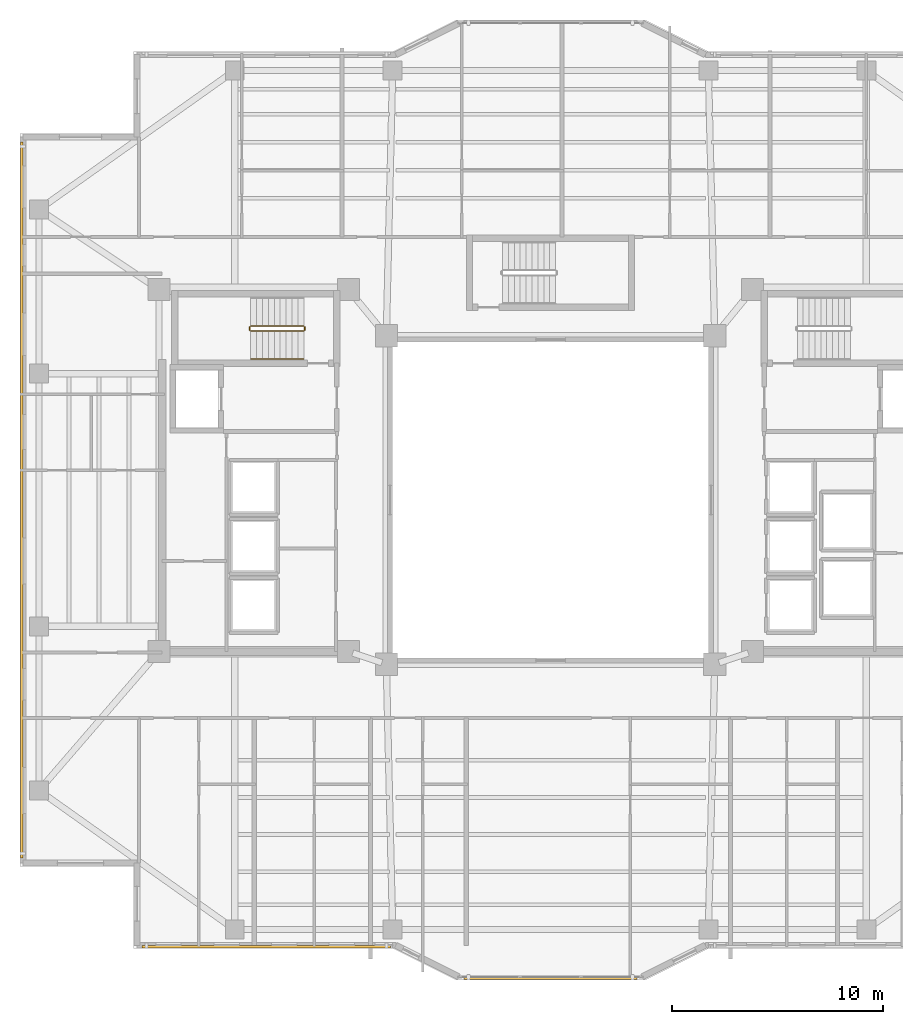
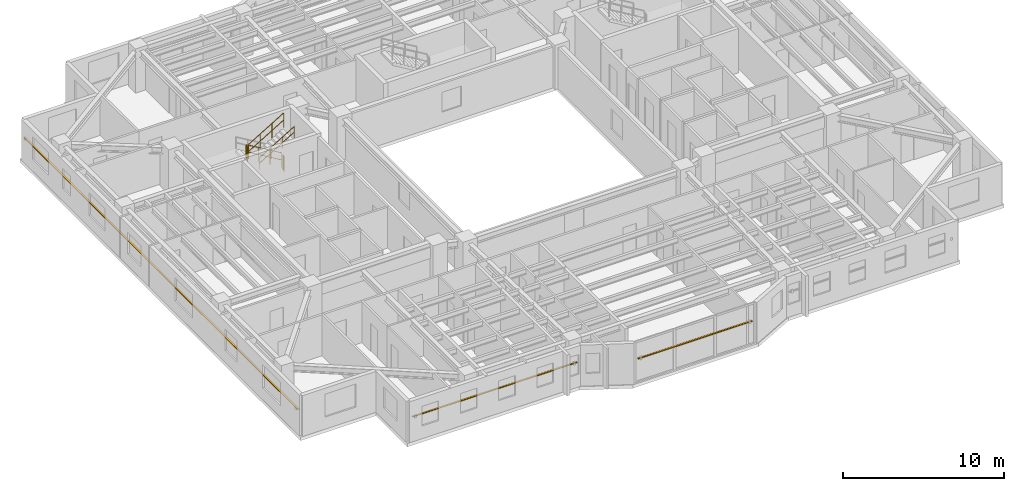
# One storey, part 14 of 16: 5 railings, 3 shading devices.
"""IFC4 building model written with IfcOpenShell, lengths in metres."""

from ifc_helpers import new_model, si_unit, direction, frame, origin, origin_2d, place, context, subcontext, project, spatial, rectangle, circle, extrude, material, material_profile, profile_set, type_object, element, save


model = new_model("IFC4")

# Units and contexts
model_context = context("Model", 3, precision=1e-05, world=origin(), true_north=direction((0.0, 1.0)))
body_context = subcontext(model_context, "Body", "Model", "MODEL_VIEW")
ifc_project = project(units=[si_unit("LENGTHUNIT", "METRE"), si_unit("AREAUNIT", "SQUARE_METRE"), si_unit("VOLUMEUNIT", "CUBIC_METRE"), si_unit("PLANEANGLEUNIT", "RADIAN"), si_unit("MASSUNIT", "GRAM", prefix="KILO")], contexts=[model_context])

# Site, building, storey
site_placement = place(None, origin())
site = spatial("IfcSite", under=ifc_project, at=site_placement, CompositionType="ELEMENT")
building_placement = place(site_placement, origin())
building = spatial("IfcBuilding", under=site, at=building_placement, Name="Tarnavaz Court Tower", CompositionType="ELEMENT")
storey_placement = place(building_placement, frame((0.0, 0.0, 166.10009765625)))
storey = spatial("IfcBuildingStorey", under=building, at=storey_placement, Name="L45", CompositionType="ELEMENT", Elevation=166.10009765625)

# Railings
ifc_material_1 = material(Name="Brushed Stainless Steel", Category="steel")
railing_type_1 = type_object("IfcRailingType", Name="RL-HANDRAIL-900", PredefinedType="HANDRAIL", material=ifc_material_1)
railing_1_placement = place(storey_placement, frame((-14.239990234375, 6.699951171875, 1.84228515625)))
element("IfcRailing", 1, at=railing_1_placement, inside=storey, type_object=railing_type_1, Name="L45 ST-W1 stair handrail 2", PredefinedType="HANDRAIL", context=body_context, shape_type="SweptSolid", body=[
    extrude(circle(Radius=0.02392578125, at=origin_2d()), frame((0.0, 0.0, 0.8759765625), z_axis=(0.858159760407, 0.0, 0.513382728203), x_axis=(0.0, 1.0, 0.0)), (0.0, 0.0, 1.0), 2.9365234375),
    extrude(circle(Radius=0.02392578125, at=origin_2d()), frame((0.0, 0.0, 0.449951171875), z_axis=(0.858159760407, 0.0, 0.513382728203), x_axis=(0.0, 1.0, 0.0)), (0.0, 0.0, 1.0), 2.9365234375),
    extrude(circle(Radius=0.02099609375, at=origin_2d()), origin(), (0.0, 0.0, 1.0), 0.851806640625),
    extrude(circle(Radius=0.02099609375, at=origin_2d()), frame((0.840087890625, 0.0, 0.50244140625)), (0.0, 0.0, 1.0), 0.851806640625),
    extrude(circle(Radius=0.02099609375, at=origin_2d()), frame((1.679931640625, 0.0, 1.005126953125)), (0.0, 0.0, 1.0), 0.851806640625),
    extrude(circle(Radius=0.02099609375, at=origin_2d()), frame((2.52001953125, 0.0, 1.507568359375)), (0.0, 0.0, 1.0), 0.851806640625),
])
ifc_material_2 = material(Name="Galvanized Painted Tubular Steel", Category="steel")
railing_type_2 = type_object("IfcRailingType", Name="RL-STGUARD-1120", PredefinedType="GUARDRAIL", material=ifc_material_2)
railing_2_placement = place(storey_placement, frame((-11.719970703125, 8.27001953125, 0.16748046875)))
element("IfcRailing", 2, at=railing_2_placement, inside=storey, type_object=railing_type_2, Name="L45 ST-W1 stair guard 1", PredefinedType="GUARDRAIL", context=body_context, shape_type="SweptSolid", body=[
    extrude(circle(Radius=0.02392578125, at=origin_2d()), frame((0.0, 0.0, 1.09619140625), z_axis=(-0.858196387827, 0.0, 0.513321497621), x_axis=(0.0, -1.0, 0.0)), (0.0, 0.0, 1.0), 2.9365234375),
    extrude(circle(Radius=0.02392578125, at=origin_2d()), frame((0.0, 0.0, 0.56005859375), z_axis=(-0.858196387827, 0.0, 0.513321497621), x_axis=(0.0, -1.0, 0.0)), (0.0, 0.0, 1.0), 2.9365234375),
    extrude(circle(Radius=0.02099609375, at=origin_2d()), origin(), (0.0, 0.0, 1.0), 1.072021484375),
    extrude(circle(Radius=0.02099609375, at=origin_2d()), frame((-0.840087890625, 0.0, 0.50244140625)), (0.0, 0.0, 1.0), 1.072021484375),
    extrude(circle(Radius=0.02099609375, at=origin_2d()), frame((-1.679931640625, 0.0, 1.0048828125)), (0.0, 0.0, 1.0), 1.072021484375),
    extrude(circle(Radius=0.02099609375, at=origin_2d()), frame((-2.52001953125, 0.0, 1.50732421875)), (0.0, 0.0, 1.0), 1.072021484375),
])
railing_3_placement = place(storey_placement, frame((-14.2900390625, 8.219970703125, 1.6748046875)))
element("IfcRailing", 3, at=railing_3_placement, inside=storey, type_object=railing_type_2, Name="L45 ST-W1 stair guard 2", PredefinedType="GUARDRAIL", context=body_context, shape_type="SweptSolid", body=[
    extrude(circle(Radius=0.02392578125, at=origin_2d()), frame((0.0, 0.0, 1.09619140625), z_axis=(0.0, -1.0, 0.0), x_axis=(1.0, 0.0, 0.0)), (0.0, 0.0, 1.0), 0.14990234375),
    extrude(circle(Radius=0.02392578125, at=origin_2d()), frame((0.0, 0.0, 0.56005859375), z_axis=(0.0, -1.0, 0.0), x_axis=(1.0, 0.0, 0.0)), (0.0, 0.0, 1.0), 0.14990234375),
    extrude(circle(Radius=0.02099609375, at=origin_2d()), origin(), (0.0, 0.0, 1.0), 1.072021484375),
    extrude(circle(Radius=0.02099609375, at=origin_2d()), frame((0.0, -0.14990234375, 0.0)), (0.0, 0.0, 1.0), 1.072021484375),
])
railing_4_placement = place(storey_placement, frame((-14.239990234375, 8.02001953125, 1.84228515625)))
element("IfcRailing", 4, at=railing_4_placement, inside=storey, type_object=railing_type_2, Name="L45 ST-W1 stair guard 3", PredefinedType="GUARDRAIL", context=body_context, shape_type="SweptSolid", body=[
    extrude(circle(Radius=0.02392578125, at=origin_2d()), frame((0.0, 0.0, 1.09619140625), z_axis=(0.858159760407, 0.0, 0.513382728203), x_axis=(0.0, 1.0, 0.0)), (0.0, 0.0, 1.0), 2.9365234375),
    extrude(circle(Radius=0.02392578125, at=origin_2d()), frame((0.0, 0.0, 0.56005859375), z_axis=(0.858159760407, 0.0, 0.513382728203), x_axis=(0.0, 1.0, 0.0)), (0.0, 0.0, 1.0), 2.9365234375),
    extrude(circle(Radius=0.02099609375, at=origin_2d()), origin(), (0.0, 0.0, 1.0), 1.072021484375),
    extrude(circle(Radius=0.02099609375, at=origin_2d()), frame((0.840087890625, 0.0, 0.50244140625)), (0.0, 0.0, 1.0), 1.072021484375),
    extrude(circle(Radius=0.02099609375, at=origin_2d()), frame((1.679931640625, 0.0, 1.005126953125)), (0.0, 0.0, 1.0), 1.072021484375),
    extrude(circle(Radius=0.02099609375, at=origin_2d()), frame((2.52001953125, 0.0, 1.507568359375)), (0.0, 0.0, 1.0), 1.072021484375),
])
railing_5_placement = place(storey_placement, frame((-11.669921875, 8.219970703125, 0.0)))
element("IfcRailing", 5, at=railing_5_placement, inside=storey, type_object=railing_type_2, Name="L45 ST-W1 stair guard 4", PredefinedType="GUARDRAIL", context=body_context, shape_type="SweptSolid", body=[
    extrude(circle(Radius=0.02392578125, at=origin_2d()), frame((0.0, 0.0, 1.09619140625), z_axis=(0.0, -1.0, 0.0), x_axis=(1.0, 0.0, 0.0)), (0.0, 0.0, 1.0), 0.14990234375),
    extrude(circle(Radius=0.02392578125, at=origin_2d()), frame((0.0, 0.0, 0.56005859375), z_axis=(0.0, -1.0, 0.0), x_axis=(1.0, 0.0, 0.0)), (0.0, 0.0, 1.0), 0.14990234375),
    extrude(circle(Radius=0.02099609375, at=origin_2d()), origin(), (0.0, 0.0, 1.0), 1.072021484375),
    extrude(circle(Radius=0.02099609375, at=origin_2d()), frame((0.0, -0.14990234375, 0.0)), (0.0, 0.0, 1.0), 1.072021484375),
])

# Shading devices
ifc_material_3 = material(Name="Kiln-Fired Khorasan Terracotta Ceramic", Category="masonry")
ifc_material_profile = material_profile(ifc_material_3, rectangle(XDim=0.1201171875, YDim=0.06005859375, at=origin_2d()), Name="TC BAGUETTE 120X60")
ifc_profile_set = profile_set([ifc_material_profile], Name="Kiln-Fired Khorasan Terracotta Ceramic")
shading_device_type = type_object("IfcShadingDeviceType", Name="SD-BAG-120", PredefinedType="USERDEFINED", material=ifc_profile_set)
shading_device_1_placement = place(storey_placement, frame((-25.110107421875, -17.0, 1.849853515625), z_axis=(0.0, 1.0, 0.0), x_axis=(-1.0, 0.0, 0.0)))
element("IfcShadingDevice", 6, at=shading_device_1_placement, inside=storey, type_object=shading_device_type, Name="L45 Terracotta Baguette Screen FBG02", ObjectType="BAGUETTE", PredefinedType="USERDEFINED", context=body_context, shape_type="SweptSolid", body=[
    extrude(rectangle(XDim=0.1201171875, YDim=0.06005859375, at=origin_2d()), origin(), (0.0, 0.0, 1.0), 34.0),
])
shading_device_2_placement = place(storey_placement, frame((4.10009765625, -22.7099609375, 1.7998046875), z_axis=(-1.0, 0.0, 0.0), x_axis=(0.0, -1.0, 0.0)))
element("IfcShadingDevice", 7, at=shading_device_2_placement, inside=storey, type_object=shading_device_type, Name="L45 Terracotta Baguette Screen PBG17", ObjectType="BAGUETTE", PredefinedType="USERDEFINED", context=body_context, shape_type="SweptSolid", body=[
    extrude(rectangle(XDim=0.1201171875, YDim=0.06005859375, at=origin_2d()), origin(), (0.0, 0.0, 1.0), 8.2001953125),
])
shading_device_3_placement = place(storey_placement, frame((-7.60009765625, -21.2099609375, 1.849853515625), z_axis=(-1.0, 0.0, 0.0), x_axis=(0.0, -1.0, 0.0)))
element("IfcShadingDevice", 8, at=shading_device_3_placement, inside=storey, type_object=shading_device_type, Name="L45 Terracotta Baguette Screen FBG19", ObjectType="BAGUETTE", PredefinedType="USERDEFINED", context=body_context, shape_type="SweptSolid", body=[
    extrude(rectangle(XDim=0.1201171875, YDim=0.06005859375, at=origin_2d()), origin(), (0.0, 0.0, 1.0), 11.7998046875),
])

save(model, "model.ifc")
